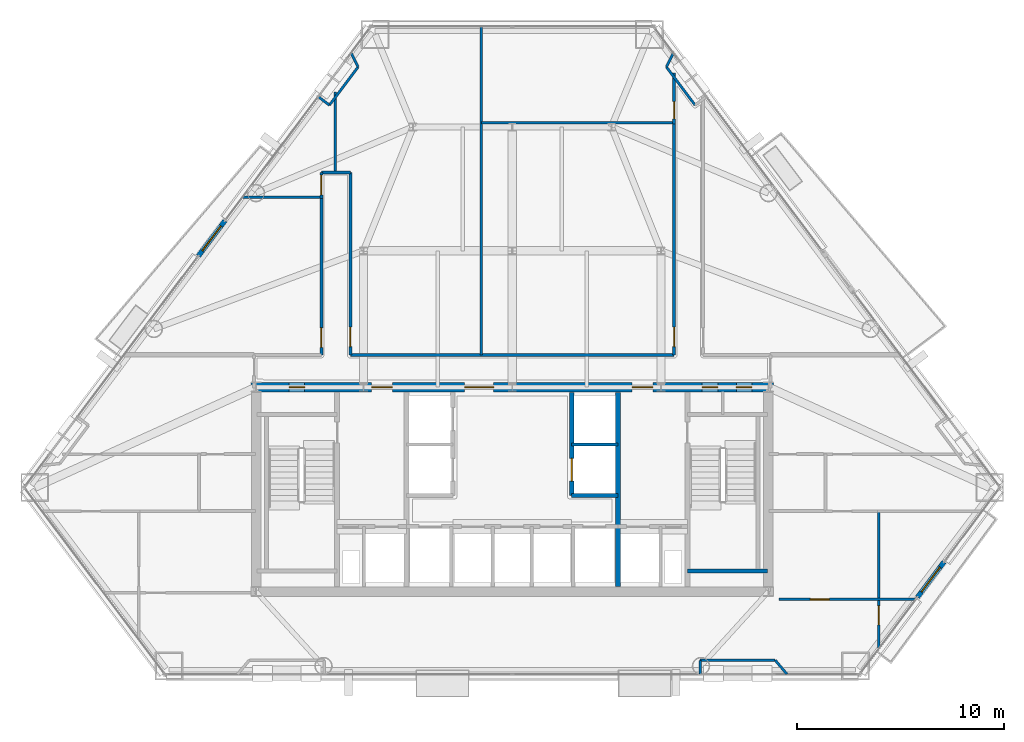
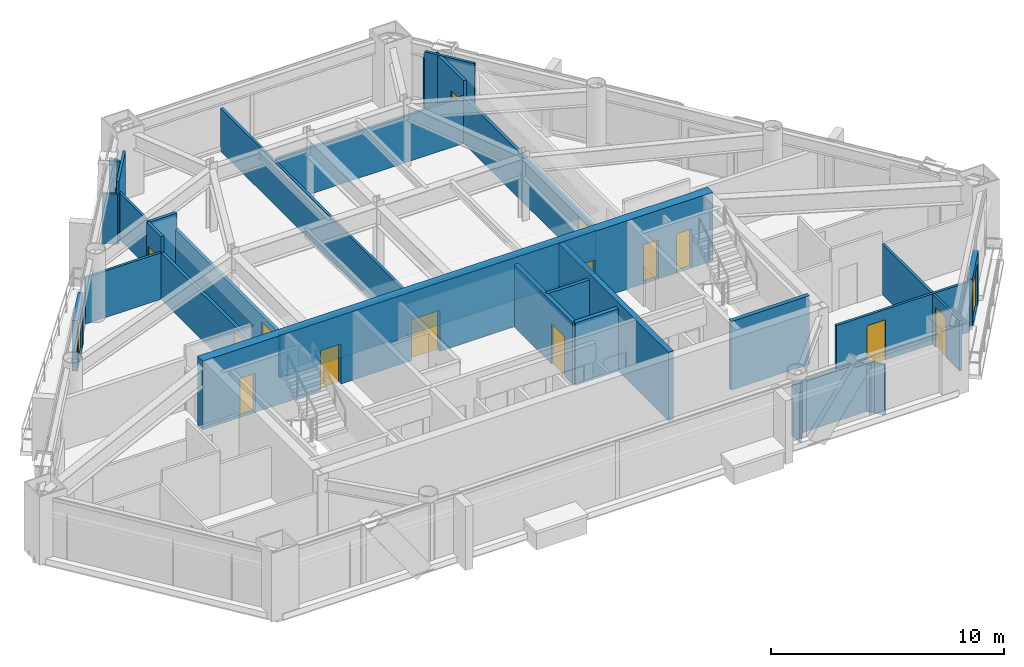
# One storey, part 7 of 10: 29 walls, 16 doors, 16 openings.
"""IFC4 building model written with IfcOpenShell, lengths in metres."""

import ifcopenshell
import ifcopenshell.guid

model = None  # the IFC model being written
_history = None  # IfcOwnerHistory: only IFC2X3 demands one
_inside = {}  # id of a spatial element -> (the spatial element, [elements in it])
_under = {}  # id of a project, library or spatial element -> (it, [spatial elements below it])
_declared = {}  # id of a project -> (the project, [libraries it declares])
_typed = {}  # id of a type object -> (the type object, [elements of that type])
_made_of = {}  # id of a material, layer set ... -> (it, [elements and type objects made of it])


def new_model(schema):
    """Start an empty IFC model of exactly this schema.

    Asked for "IFC4X3", IfcOpenShell would pick the latest addendum, in which some entities
    have other attributes; the version numbers below select the first issue.
    IFC2X3 requires an IfcOwnerHistory on every rooted entity: one is made here for all.
    """
    global model, _history
    if schema == "IFC4X3":
        model = ifcopenshell.file(schema_version=(4, 3, 0, 0))
    else:
        model = ifcopenshell.file(schema=schema)
    _inside.clear()
    _under.clear()
    _declared.clear()
    _typed.clear()
    _made_of.clear()
    _history = None
    if model.schema == "IFC2X3":
        org = make("IfcOrganization", Name="unknown")
        user = make(
            "IfcPersonAndOrganization",
            ThePerson=make("IfcPerson", FamilyName="unknown"),
            TheOrganization=org,
        )
        app = make(
            "IfcApplication",
            ApplicationDeveloper=org,
            Version="unknown",
            ApplicationFullName="unknown",
            ApplicationIdentifier="unknown",
        )
        _history = make(
            "IfcOwnerHistory",
            OwningUser=user,
            OwningApplication=app,
            ChangeAction="ADDED",
            CreationDate=0,
        )
    return model


def make(cls, **values):
    """One entity of the class cls with the attributes given. An attribute that is None is left unset."""
    return model.create_entity(
        cls, **{name: value for name, value in values.items() if value is not None}
    )


def rooted(cls, **values):
    """An entity with a GlobalId (a new one), such as an element, a storey or a relation."""
    return make(cls, GlobalId=ifcopenshell.guid.new(), OwnerHistory=_history, **values)


def si_unit(unit_type, name, prefix=None):
    """IfcSIUnit, for example si_unit("LENGTHUNIT", "METRE", prefix="MILLI")."""
    return make("IfcSIUnit", UnitType=unit_type, Prefix=prefix, Name=name)


def assignment(units):
    """IfcUnitAssignment: the units of a project."""
    return None if units is None else make("IfcUnitAssignment", Units=units)


def point(xyz):
    """IfcCartesianPoint."""
    return None if xyz is None else make("IfcCartesianPoint", Coordinates=xyz)


def direction(xyz):
    """IfcDirection."""
    return None if xyz is None else make("IfcDirection", DirectionRatios=xyz)


def frame(location, z_axis=None, x_axis=None):
    """IfcAxis2Placement3D, a coordinate frame: its origin and axes. An axis left out is left unset."""
    return make(
        "IfcAxis2Placement3D",
        Location=point(location),
        Axis=direction(z_axis),
        RefDirection=direction(x_axis),
    )


def frame_2d(location, x_axis=None):
    """IfcAxis2Placement2D, a coordinate frame in the plane: its origin and x axis."""
    return make(
        "IfcAxis2Placement2D", Location=point(location), RefDirection=direction(x_axis)
    )


def origin():
    """The frame at (0, 0, 0) with its axes left unset."""
    return frame((0.0, 0.0, 0.0))


def place(relative_to, where):
    """IfcLocalPlacement: puts the frame where relative to a parent placement (None: the world)."""
    return make(
        "IfcLocalPlacement", PlacementRelTo=relative_to, RelativePlacement=where
    )


def context(
    kind, dimensions, precision=None, world=None, true_north=None, identifier=None
):
    """IfcGeometricRepresentationContext, for example the 3D "Model" context."""
    return make(
        "IfcGeometricRepresentationContext",
        ContextIdentifier=identifier,
        ContextType=kind,
        CoordinateSpaceDimension=dimensions,
        Precision=precision,
        WorldCoordinateSystem=world,
        TrueNorth=true_north,
    )


def subcontext(parent, identifier, kind, view, scale=None):
    """IfcGeometricRepresentationSubContext, for example "Body" below "Model"."""
    return make(
        "IfcGeometricRepresentationSubContext",
        ContextIdentifier=identifier,
        ContextType=kind,
        ParentContext=parent,
        TargetScale=scale,
        TargetView=view,
    )


def project(units=None, contexts=None):
    """IfcProject with its units and contexts."""
    return rooted(
        "IfcProject",
        Name="project",
        RepresentationContexts=contexts,
        UnitsInContext=assignment(units),
    )


def spatial(cls, under=None, at=None, **own):
    """A site, building, storey or space (cls), placed at a placement, below another one or the project."""
    s = rooted(cls, ObjectPlacement=at, **own)
    if under is not None:
        _under.setdefault(under.id(), (under, []))[1].append(s)
    return s


def profile(cls, at=None, kind="AREA", **sizes):
    """A parametric profile (cls). Its sizes go by their IFC names, for example OverallWidth=200.0."""
    return make(cls, ProfileType=kind, Position=at, **sizes)


def rectangle(**sizes):
    """IfcRectangleProfileDef."""
    return profile("IfcRectangleProfileDef", **sizes)


def extrude(swept, where, along, depth):
    """IfcExtrudedAreaSolid: the profile swept, set in the frame where, extruded along a direction by depth."""
    return make(
        "IfcExtrudedAreaSolid",
        SweptArea=swept,
        Position=where,
        ExtrudedDirection=direction(along),
        Depth=depth,
    )


def shape(context_of_items, identifier, shape_type, items):
    """IfcShapeRepresentation: the items that make up one representation, for example the "Body"."""
    return make(
        "IfcShapeRepresentation",
        ContextOfItems=context_of_items,
        RepresentationIdentifier=identifier,
        RepresentationType=shape_type,
        Items=items,
    )


def material(Name=None, Category=None):
    """IfcMaterial."""
    return make("IfcMaterial", Name=Name, Category=Category)


def layer(
    of_material, thickness, ventilated=None, Name=None, Category=None, Priority=None
):
    """IfcMaterialLayer: one layer of a wall or slab, of a material (None: an air gap)."""
    return make(
        "IfcMaterialLayer",
        Material=of_material,
        LayerThickness=thickness,
        IsVentilated=ventilated,
        Name=Name,
        Category=Category,
        Priority=Priority,
    )


def layer_set(layers, Name=None):
    """IfcMaterialLayerSet."""
    return make("IfcMaterialLayerSet", MaterialLayers=layers, LayerSetName=Name)


def made_of(thing, what):
    """Note that an element or type object is made of a material, layer set ...; save() writes the relation."""
    if what is not None:
        _made_of.setdefault(what.id(), (what, []))[1].append(thing)
    return thing


def type_object(cls, material=None, **own):
    """A type object (cls), such as IfcWallType, which elements share."""
    return made_of(rooted(cls, **own), material)


def element(
    cls,
    number,
    at=None,
    inside=None,
    cuts=None,
    type_object=None,
    material=None,
    context=None,
    identifier="Body",
    shape_type=None,
    held_by="IfcProductDefinitionShape",
    body=None,
    shapes=None,
    **own,
):
    """One element of the class cls, such as IfcWall. Its Tag is "e" and its number.

    at: its placement. inside: the storey or other place that contains it. cuts: it is an
    opening in that element (IfcRelVoidsElement). A single representation is given by context,
    identifier, shape_type and body (its items); several are given by shapes. held_by: the class
    of the entity that holds the representations. save() writes the other relations.
    """
    e = rooted(cls, Tag="e%d" % number, ObjectPlacement=at, **own)
    if body is not None:
        shapes = [shape(context, identifier, shape_type, body)]
    if shapes is not None:
        e.Representation = make(held_by, Representations=shapes)
    if inside is not None:
        _inside.setdefault(inside.id(), (inside, []))[1].append(e)
    if cuts is not None:
        rooted(
            "IfcRelVoidsElement", RelatingBuildingElement=cuts, RelatedOpeningElement=e
        )
    if type_object is not None:
        _typed.setdefault(type_object.id(), (type_object, []))[1].append(e)
    return made_of(e, material)


def fill(opening, filler):
    """IfcRelFillsElement: the door or window that sits in an opening."""
    return rooted(
        "IfcRelFillsElement",
        RelatingOpeningElement=opening,
        RelatedBuildingElement=filler,
    )


def aggregate(whole, parts):
    """IfcRelAggregates: a whole, such as a stair, and the parts it consists of."""
    return rooted("IfcRelAggregates", RelatingObject=whole, RelatedObjects=parts)


def save(model, path):
    """Write the relations noted so far, then the file.

    IfcRelAggregates (storeys below a building ...), IfcRelContainedInSpatialStructure (elements
    in a storey), IfcRelDefinesByType, IfcRelAssociatesMaterial and IfcRelDeclares: one each for
    every whole, place, type object, material and project.
    """
    for whole, parts in _under.values():
        aggregate(whole, parts)
    for where, things in _inside.values():
        rooted(
            "IfcRelContainedInSpatialStructure",
            RelatedElements=things,
            RelatingStructure=where,
        )
    for kind, things in _typed.values():
        rooted("IfcRelDefinesByType", RelatedObjects=things, RelatingType=kind)
    for what, things in _made_of.values():
        rooted("IfcRelAssociatesMaterial", RelatedObjects=things, RelatingMaterial=what)
    for by, libraries in _declared.values():
        rooted("IfcRelDeclares", RelatingContext=by, RelatedDefinitions=libraries)
    model.write(path)


model = new_model("IFC4")

# Units and contexts
model_context = context("Model", 3, precision=1e-05, world=origin(), true_north=direction((0.0, 1.0)))
body_context = subcontext(model_context, "Body", "Model", "MODEL_VIEW")
ifc_project = project(units=[si_unit("LENGTHUNIT", "METRE"), si_unit("AREAUNIT", "SQUARE_METRE"), si_unit("VOLUMEUNIT", "CUBIC_METRE"), si_unit("PLANEANGLEUNIT", "RADIAN"), si_unit("MASSUNIT", "GRAM", prefix="KILO")], contexts=[model_context])

# Site, building, storey
site_placement = place(None, origin())
site = spatial("IfcSite", under=ifc_project, at=site_placement, CompositionType="ELEMENT")
building_placement = place(site_placement, origin())
building = spatial("IfcBuilding", under=site, at=building_placement, Name="Talgorran Terracotta Tower", CompositionType="ELEMENT")
storey_placement = place(building_placement, frame((0.0, 0.0, 86.39990234375)))
storey = spatial("IfcBuildingStorey", under=building, at=storey_placement, Name="L22", CompositionType="ELEMENT", Elevation=86.39990234375)

# Wall, opening, door
ifc_material_1 = material(Name="Concrete C40/50", Category="concrete")
ifc_layer_1 = layer(ifc_material_1, 0.239990234375, Name="WT_BALCONY_SPAND")
ifc_layer_set_1 = layer_set([ifc_layer_1], Name="Concrete C40/50")
wall_type_1 = type_object("IfcWallType", Name="WT_BALCONY_SPAND", PredefinedType="STANDARD", material=ifc_layer_set_1)
wall_1_placement = place(storey_placement, frame((-13.90966796875, 3.860107421875, -0.014892578125), z_axis=(0.0, 0.0, 1.0), x_axis=(-0.601040017347, -0.799218929673, 0.0)))
wall_1 = element("IfcWall", 1, at=wall_1_placement, inside=storey, type_object=wall_type_1, Name="WL-L22-BALP-BAL-NW", PredefinedType="STANDARD", context=body_context, shape_type="SweptSolid", body=[
    extrude(rectangle(XDim=2.139892578125, YDim=0.239990234375, at=frame_2d((1.06982421875, 0.0))), origin(), (0.0, 0.0, 1.0), 2.658447265625),
])
opening_1_placement = place(wall_1_placement, frame((0.320068359375, 0.0, 0.014892578125)))
opening_1 = element("IfcOpeningElement", 2, at=opening_1_placement, cuts=wall_1, Name="Opening D-BAL-L22-2", PredefinedType="OPENING", context=body_context, shape_type="SweptSolid", body=[
    extrude(rectangle(XDim=1.506, YDim=2.203951171875, at=frame_2d((0.75, 1.10205078125))), frame((0.0, 0.1298828125, 0.0), z_axis=(0.0, -1.0, 0.0), x_axis=(1.0, 0.0, 0.0)), (0.0, 0.0, 1.0), 0.260009765625),
])
ifc_material_2 = material(Name="Thermally Broken Aluminium", Category="aluminium")
door_type_1 = type_object("IfcDoorType", Name="DT_BALC_1500", OperationType="SLIDING_TO_RIGHT", PredefinedType="DOOR", material=ifc_material_2)
door_1_placement = place(opening_1_placement, origin())
door_1 = element("IfcDoor", 3, at=door_1_placement, inside=storey, type_object=door_type_1, Name="DR-L22-BAL-BAL-NW", OperationType="SLIDING_TO_RIGHT", OverallHeight=2.199951171875, OverallWidth=1.5, PredefinedType="DOOR", context=body_context, shape_type="SweptSolid", body=[
    extrude(rectangle(XDim=1.5, YDim=2.199951171875, at=frame_2d((0.75, 1.10009765625))), frame((0.0, 0.02490234375, 0.0), z_axis=(0.0, -1.0, 0.0), x_axis=(1.0, 0.0, 0.0)), (0.0, 0.0, 1.0), 0.050048828125),
])
fill(opening_1, door_1)

wall_2_placement = place(storey_placement, frame((19.618408203125, -14.372314453125, -0.014892578125), z_axis=(0.0, 0.0, 1.0), x_axis=(0.601112886626, 0.799164124277, 0.0)))
wall_2 = element("IfcWall", 4, at=wall_2_placement, inside=storey, type_object=wall_type_1, Name="WL-L22-BALP-BAL-SE", PredefinedType="STANDARD", context=body_context, shape_type="SweptSolid", body=[
    extrude(rectangle(XDim=2.139892578125, YDim=0.239990234375, at=frame_2d((1.06982421875, 0.0))), origin(), (0.0, 0.0, 1.0), 2.658447265625),
])
opening_2_placement = place(wall_2_placement, frame((0.320068359375, 0.0, 0.014892578125)))
opening_2 = element("IfcOpeningElement", 5, at=opening_2_placement, cuts=wall_2, Name="Opening D-BAL-L22-3", PredefinedType="OPENING", context=body_context, shape_type="SweptSolid", body=[
    extrude(rectangle(XDim=1.506, YDim=2.203951171875, at=frame_2d((0.75, 1.10205078125))), frame((0.0, 0.1298828125, 0.0), z_axis=(0.0, -1.0, 0.0), x_axis=(1.0, 0.0, 0.0)), (0.0, 0.0, 1.0), 0.260009765625),
])
door_2_placement = place(opening_2_placement, origin())
door_2 = element("IfcDoor", 6, at=door_2_placement, inside=storey, type_object=door_type_1, Name="DR-L22-BAL-BAL-SE", OperationType="SLIDING_TO_RIGHT", OverallHeight=2.199951171875, OverallWidth=1.5, PredefinedType="DOOR", context=body_context, shape_type="SweptSolid", body=[
    extrude(rectangle(XDim=1.5, YDim=2.199951171875, at=frame_2d((0.75, 1.10009765625))), frame((0.0, 0.02490234375, 0.0), z_axis=(0.0, -1.0, 0.0), x_axis=(1.0, 0.0, 0.0)), (0.0, 0.0, 1.0), 0.050048828125),
])
fill(opening_2, door_2)

# Wall
ifc_material_3 = material(Name="Concrete C50/60", Category="concrete")
ifc_layer_2 = layer(ifc_material_3, 0.199951171875, Name="WT_CORE_200")
ifc_layer_set_2 = layer_set([ifc_layer_2], Name="Concrete C50/60")
wall_type_2 = type_object("IfcWallType", Name="WT_CORE_200", PredefinedType="SOLIDWALL", material=ifc_layer_set_2)
wall_3_placement = place(storey_placement, frame((8.47998046875, -13.10009765625, 0.0), z_axis=(0.0, 0.0, 1.0), x_axis=(1.0, 0.0, 0.0)))
element("IfcWall", 7, at=wall_3_placement, inside=storey, type_object=wall_type_2, Name="WL-L22-CW-ST2-S", PredefinedType="SOLIDWALL", context=body_context, shape_type="SweptSolid", body=[
    extrude(rectangle(XDim=3.8701171875, YDim=0.199951171875, at=frame_2d((1.93505859375, 0.0))), origin(), (0.0, 0.0, 1.0), 3.60009765625),
])

# Wall, opening, door
wall_4_placement = place(storey_placement, frame((2.8798828125, -9.449951171875, 0.0), z_axis=(0.0, 0.0, 1.0), x_axis=(0.0, 1.0, 0.0)))
wall_4 = element("IfcWall", 8, at=wall_4_placement, inside=storey, type_object=wall_type_2, Name="WL-L22-CW-V-E3", PredefinedType="SOLIDWALL", context=body_context, shape_type="SweptSolid", body=[
    extrude(rectangle(XDim=5.0, YDim=0.199951171875, at=frame_2d((2.5, 0.0))), origin(), (0.0, 0.0, 1.0), 3.280029296875),
])
opening_3_placement = place(wall_4_placement, frame((0.699951171875, 0.0, 0.0)))
opening_3 = element("IfcOpeningElement", 9, at=opening_3_placement, cuts=wall_4, Name="Opening LD-PLM1", PredefinedType="OPENING", context=body_context, shape_type="SweptSolid", body=[
    extrude(rectangle(XDim=1.10609765625, YDim=2.10409765625, at=frame_2d((0.550048828125, 1.052001953125))), frame((0.0, 0.10986328125, 0.0), z_axis=(0.0, -1.0, 0.0), x_axis=(1.0, 0.0, 0.0)), (0.0, 0.0, 1.0), 0.219970703125),
])
ifc_material_4 = material(Name="Brushed Stainless Steel Grade 304", Category="steel")
door_type_2 = type_object("IfcDoorType", Name="DT_LIFT_LD1100", OperationType="DOUBLE_DOOR_SLIDING", PredefinedType="DOOR", material=ifc_material_4)
door_3_placement = place(opening_3_placement, origin())
door_3 = element("IfcDoor", 10, at=door_3_placement, inside=storey, type_object=door_type_2, Name="L22 Lift Landing Door LD-PLM1", OperationType="DOUBLE_DOOR_SLIDING", OverallHeight=2.10009765625, OverallWidth=1.10009765625, PredefinedType="DOOR", context=body_context, shape_type="SweptSolid", body=[
    extrude(rectangle(XDim=1.10009765625, YDim=2.10009765625, at=frame_2d((0.550048828125, 1.050048828125))), frame((0.0, 0.02490234375, 0.0), z_axis=(0.0, -1.0, 0.0), x_axis=(1.0, 0.0, 0.0)), (0.0, 0.0, 1.0), 0.050048828125),
])
fill(opening_3, door_3)

# Walls
wall_5_placement = place(storey_placement, frame((2.8798828125, -9.449951171875, 0.0), z_axis=(0.0, 0.0, 1.0), x_axis=(1.0, 0.0, 0.0)))
element("IfcWall", 11, at=wall_5_placement, inside=storey, type_object=wall_type_2, Name="WL-L22-CW-H-E4", PredefinedType="SOLIDWALL", context=body_context, shape_type="SweptSolid", body=[
    extrude(rectangle(XDim=2.240234375, YDim=0.199951171875, at=frame_2d((1.1201171875, 0.0))), origin(), (0.0, 0.0, 1.0), 3.280029296875),
])
ifc_layer_3 = layer(ifc_material_3, 0.25, Name="WT_CORE_250")
ifc_layer_set_3 = layer_set([ifc_layer_3], Name="Concrete C50/60")
wall_type_3 = type_object("IfcWallType", Name="WT_CORE_250", PredefinedType="SHEAR", material=ifc_layer_set_3)
wall_6_placement = place(storey_placement, frame((5.1201171875, -13.85009765625, 0.0), z_axis=(0.0, 0.0, 1.0), x_axis=(0.0, 1.0, 0.0)))
element("IfcWall", 12, at=wall_6_placement, inside=storey, type_object=wall_type_3, Name="WL-L22-CW-V-E2", PredefinedType="SHEAR", context=body_context, shape_type="SweptSolid", body=[
    extrude(rectangle(XDim=9.400146484375, YDim=0.25, at=frame_2d((4.7001953125, 0.0))), origin(), (0.0, 0.0, 1.0), 3.60009765625),
])

# Wall, openings, doors
ifc_material_5 = material(Name="Concrete C65/80", Category="concrete")
ifc_layer_4 = layer(ifc_material_5, 0.449951171875, Name="WT_CORE_EXT")
ifc_layer_set_4 = layer_set([ifc_layer_4], Name="Concrete C65/80")
wall_type_4 = type_object("IfcWallType", Name="WT_CORE_EXT", PredefinedType="SHEAR", material=ifc_layer_set_4)
wall_7_placement = place(storey_placement, frame((-12.64990234375, -4.199951171875, 0.0), z_axis=(0.0, 0.0, 1.0), x_axis=(1.0, 0.0, 0.0)))
wall_7 = element("IfcWall", 13, at=wall_7_placement, inside=storey, type_object=wall_type_4, Name="WL-L22-CW-OUT-N", PredefinedType="SHEAR", context=body_context, shape_type="SweptSolid", body=[
    extrude(rectangle(XDim=25.2998046875, YDim=0.449951171875, at=frame_2d((12.64990234375, 0.0))), origin(), (0.0, 0.0, 1.0), 3.60009765625),
])
opening_4_placement = place(wall_7_placement, frame((1.85009765625, 0.0, 0.0)))
opening_4 = element("IfcOpeningElement", 14, at=opening_4_placement, cuts=wall_7, Name="Opening DR-CSN1", PredefinedType="OPENING", context=body_context, shape_type="SweptSolid", body=[
    extrude(rectangle(XDim=0.756, YDim=2.054048828125, at=frame_2d((0.375, 1.027099609375))), frame((0.0, 0.23486328125, 0.0), z_axis=(0.0, -1.0, 0.0), x_axis=(1.0, 0.0, 0.0)), (0.0, 0.0, 1.0), 0.469970703125),
])
opening_5_placement = place(wall_7_placement, frame((21.85009765625, 0.0, 0.0)))
opening_5 = element("IfcOpeningElement", 15, at=opening_5_placement, cuts=wall_7, Name="Opening DR-CSN2", PredefinedType="OPENING", context=body_context, shape_type="SweptSolid", body=[
    extrude(rectangle(XDim=0.756, YDim=2.054048828125, at=frame_2d((0.375, 1.027099609375))), frame((0.0, 0.23486328125, 0.0), z_axis=(0.0, -1.0, 0.0), x_axis=(1.0, 0.0, 0.0)), (0.0, 0.0, 1.0), 0.469970703125),
])
opening_6_placement = place(wall_7_placement, frame((23.5, 0.0, 0.0)))
opening_6 = element("IfcOpeningElement", 16, at=opening_6_placement, cuts=wall_7, Name="Opening DR-CSN3", PredefinedType="OPENING", context=body_context, shape_type="SweptSolid", body=[
    extrude(rectangle(XDim=0.756, YDim=2.054048828125, at=frame_2d((0.375, 1.027099609375))), frame((0.0, 0.23486328125, 0.0), z_axis=(0.0, -1.0, 0.0), x_axis=(1.0, 0.0, 0.0)), (0.0, 0.0, 1.0), 0.469970703125),
])
opening_7_placement = place(wall_7_placement, frame((5.85009765625, 0.0, 0.0)))
opening_7 = element("IfcOpeningElement", 17, at=opening_7_placement, cuts=wall_7, Name="Opening DR-FFLW-N", PredefinedType="OPENING", context=body_context, shape_type="SweptSolid", body=[
    extrude(rectangle(XDim=1.006, YDim=2.10409765625, at=frame_2d((0.5, 1.052001953125))), frame((0.0, 0.23486328125, 0.0), z_axis=(0.0, -1.0, 0.0), x_axis=(1.0, 0.0, 0.0)), (0.0, 0.0, 1.0), 0.469970703125),
])
opening_8_placement = place(wall_7_placement, frame((10.35009765625, 0.0, 0.0)))
opening_8 = element("IfcOpeningElement", 18, at=opening_8_placement, cuts=wall_7, Name="Opening DR-PLL-N", PredefinedType="OPENING", context=body_context, shape_type="SweptSolid", body=[
    extrude(rectangle(XDim=1.40590234375, YDim=2.15390234375, at=frame_2d((0.699951171875, 1.076904296875))), frame((0.0, 0.23486328125, 0.0), z_axis=(0.0, -1.0, 0.0), x_axis=(1.0, 0.0, 0.0)), (0.0, 0.0, 1.0), 0.469970703125),
])
opening_9_placement = place(wall_7_placement, frame((18.449951171875, 0.0, 0.0)))
opening_9 = element("IfcOpeningElement", 19, at=opening_9_placement, cuts=wall_7, Name="Opening DR-FFLE-N", PredefinedType="OPENING", context=body_context, shape_type="SweptSolid", body=[
    extrude(rectangle(XDim=1.006, YDim=2.10409765625, at=frame_2d((0.5, 1.052001953125))), frame((0.0, 0.23486328125, 0.0), z_axis=(0.0, -1.0, 0.0), x_axis=(1.0, 0.0, 0.0)), (0.0, 0.0, 1.0), 0.469970703125),
])
ifc_material_6 = material(Name="Acoustic Glazed Timber", Category="wood")
door_type_3 = type_object("IfcDoorType", Name="DT_DOUBLE_1400", OperationType="DOUBLE_DOOR_SINGLE_SWING", PredefinedType="DOOR", material=ifc_material_6)
door_4_placement = place(opening_8_placement, origin())
door_4 = element("IfcDoor", 20, at=door_4_placement, inside=storey, type_object=door_type_3, Name="DR-PLL-N", OperationType="DOUBLE_DOOR_SINGLE_SWING", OverallHeight=2.14990234375, OverallWidth=1.39990234375, PredefinedType="DOOR", context=body_context, shape_type="SweptSolid", body=[
    extrude(rectangle(XDim=1.39990234375, YDim=2.14990234375, at=frame_2d((0.699951171875, 1.074951171875))), frame((0.0, 0.02490234375, 0.0), z_axis=(0.0, -1.0, 0.0), x_axis=(1.0, 0.0, 0.0)), (0.0, 0.0, 1.0), 0.050048828125),
])
fill(opening_8, door_4)
ifc_material_7 = material(Name="Fire-Rated Pressed Steel", Category="steel")
door_type_4 = type_object("IfcDoorType", Name="DT_FIRE_1000", OperationType="NOTDEFINED", PredefinedType="DOOR", material=ifc_material_7)
door_5_placement = place(opening_7_placement, origin())
door_5 = element("IfcDoor", 21, at=door_5_placement, inside=storey, type_object=door_type_4, Name="DR-FFLW-N", OperationType="SINGLE_SWING_LEFT", OverallHeight=2.10009765625, OverallWidth=1.0, PredefinedType="DOOR", context=body_context, shape_type="SweptSolid", body=[
    extrude(rectangle(XDim=1.0, YDim=2.10009765625, at=frame_2d((0.5, 1.050048828125))), frame((0.0, 0.02490234375, 0.0), z_axis=(0.0, -1.0, 0.0), x_axis=(1.0, 0.0, 0.0)), (0.0, 0.0, 1.0), 0.050048828125),
])
fill(opening_7, door_5)
door_6_placement = place(opening_9_placement, origin())
door_6 = element("IfcDoor", 22, at=door_6_placement, inside=storey, type_object=door_type_4, Name="DR-FFLE-N", OperationType="SINGLE_SWING_RIGHT", OverallHeight=2.10009765625, OverallWidth=1.0, PredefinedType="DOOR", context=body_context, shape_type="SweptSolid", body=[
    extrude(rectangle(XDim=1.0, YDim=2.10009765625, at=frame_2d((0.5, 1.050048828125))), frame((0.0, 0.02490234375, 0.0), z_axis=(0.0, -1.0, 0.0), x_axis=(1.0, 0.0, 0.0)), (0.0, 0.0, 1.0), 0.050048828125),
])
fill(opening_9, door_6)
door_type_5 = type_object("IfcDoorType", Name="DT_RISER_750", OperationType="NOTDEFINED", PredefinedType="DOOR", material=ifc_material_7)
door_7_placement = place(opening_4_placement, origin())
door_7 = element("IfcDoor", 23, at=door_7_placement, inside=storey, type_object=door_type_5, Name="DR-CSN1", OperationType="SINGLE_SWING_LEFT", OverallHeight=2.050048828125, OverallWidth=0.75, PredefinedType="DOOR", context=body_context, shape_type="SweptSolid", body=[
    extrude(rectangle(XDim=0.75, YDim=2.050048828125, at=frame_2d((0.375, 1.02490234375))), frame((0.0, 0.02490234375, 0.0), z_axis=(0.0, -1.0, 0.0), x_axis=(1.0, 0.0, 0.0)), (0.0, 0.0, 1.0), 0.050048828125),
])
fill(opening_4, door_7)
door_8_placement = place(opening_5_placement, origin())
door_8 = element("IfcDoor", 24, at=door_8_placement, inside=storey, type_object=door_type_5, Name="DR-CSN2", OperationType="SINGLE_SWING_LEFT", OverallHeight=2.050048828125, OverallWidth=0.75, PredefinedType="DOOR", context=body_context, shape_type="SweptSolid", body=[
    extrude(rectangle(XDim=0.75, YDim=2.050048828125, at=frame_2d((0.375, 1.02490234375))), frame((0.0, 0.02490234375, 0.0), z_axis=(0.0, -1.0, 0.0), x_axis=(1.0, 0.0, 0.0)), (0.0, 0.0, 1.0), 0.050048828125),
])
fill(opening_5, door_8)
door_9_placement = place(opening_6_placement, origin())
door_9 = element("IfcDoor", 25, at=door_9_placement, inside=storey, type_object=door_type_5, Name="DR-CSN3", OperationType="SINGLE_SWING_RIGHT", OverallHeight=2.050048828125, OverallWidth=0.75, PredefinedType="DOOR", context=body_context, shape_type="SweptSolid", body=[
    extrude(rectangle(XDim=0.75, YDim=2.050048828125, at=frame_2d((0.375, 1.02490234375))), frame((0.0, 0.02490234375, 0.0), z_axis=(0.0, -1.0, 0.0), x_axis=(1.0, 0.0, 0.0)), (0.0, 0.0, 1.0), 0.050048828125),
])
fill(opening_6, door_9)

# Wall, opening, door
ifc_material_8 = material(Name="Fire-Rated Steel Stud Plasterboard", Category="steel")
ifc_layer_5 = layer(ifc_material_8, 0.14990234375, Name="WT_FIRE_150")
ifc_layer_set_5 = layer_set([ifc_layer_5], Name="Fire-Rated Steel Stud Plasterboard")
wall_type_5 = type_object("IfcWallType", Name="WT_FIRE_150", PredefinedType="PARTITIONING", material=ifc_layer_set_5)
wall_8_placement = place(storey_placement, frame((7.840087890625, -2.639892578125, 0.0), z_axis=(0.0, 0.0, 1.0), x_axis=(0.0, 1.0, 0.0)))
wall_8 = element("IfcWall", 26, at=wall_8_placement, inside=storey, type_object=wall_type_5, Name="WL-L22-W-L22-R11", PredefinedType="PARTITIONING", context=body_context, shape_type="SweptSolid", body=[
    extrude(rectangle(XDim=11.2998046875, YDim=0.14990234375, at=frame_2d((5.64990234375, 0.0))), origin(), (0.0, 0.0, 1.0), 2.439208984375),
])
opening_10_placement = place(wall_8_placement, frame((0.399658203125, 0.0, 0.0)))
opening_10 = element("IfcOpeningElement", 27, at=opening_10_placement, cuts=wall_8, Name="Opening DR-L22-R14", PredefinedType="OPENING", context=body_context, shape_type="SweptSolid", body=[
    extrude(rectangle(XDim=0.955951171875, YDim=2.10409765625, at=frame_2d((0.47509765625, 1.052001953125))), frame((0.0, 0.0849609375, 0.0), z_axis=(0.0, -1.0, 0.0), x_axis=(1.0, 0.0, 0.0)), (0.0, 0.0, 1.0), 0.169921875),
])
ifc_material_9 = material(Name="Fire-Rated Timber Core", Category="wood")
door_type_6 = type_object("IfcDoorType", Name="DT_FIRE_950", OperationType="NOTDEFINED", PredefinedType="DOOR", material=ifc_material_9)
door_10_placement = place(opening_10_placement, origin())
door_10 = element("IfcDoor", 28, at=door_10_placement, inside=storey, type_object=door_type_6, Name="DR-L22-R14", OperationType="SINGLE_SWING_RIGHT", OverallHeight=2.10009765625, OverallWidth=0.949951171875, PredefinedType="DOOR", context=body_context, shape_type="SweptSolid", body=[
    extrude(rectangle(XDim=0.949951171875, YDim=2.10009765625, at=frame_2d((0.47509765625, 1.050048828125))), frame((0.0, 0.02490234375, 0.0), z_axis=(0.0, -1.0, 0.0), x_axis=(1.0, 0.0, 0.0)), (0.0, 0.0, 1.0), 0.050048828125),
])
fill(opening_10, door_10)

# Wall
wall_9_placement = place(storey_placement, frame((-7.840087890625, -2.639892578125, 0.0), z_axis=(0.0, 0.0, 1.0), x_axis=(1.0, 0.0, 0.0)))
element("IfcWall", 29, at=wall_9_placement, inside=storey, type_object=wall_type_5, Name="WL-L22-W-L22-R10", PredefinedType="PARTITIONING", context=body_context, shape_type="SweptSolid", body=[
    extrude(rectangle(XDim=15.68017578125, YDim=0.14990234375, at=frame_2d((7.840087890625, 0.0))), origin(), (0.0, 0.0, 1.0), 2.255126953125),
])

# Wall, opening, door
wall_10_placement = place(storey_placement, frame((-7.840087890625, -2.639892578125, 0.0), z_axis=(0.0, 0.0, 1.0), x_axis=(0.0, 1.0, 0.0)))
wall_10 = element("IfcWall", 30, at=wall_10_placement, inside=storey, type_object=wall_type_5, Name="WL-L22-W-L22-R08", PredefinedType="PARTITIONING", context=body_context, shape_type="SweptSolid", body=[
    extrude(rectangle(XDim=8.83984375, YDim=0.14990234375, at=frame_2d((4.419921875, 0.0))), origin(), (0.0, 0.0, 1.0), 2.439208984375),
])
opening_11_placement = place(wall_10_placement, frame((0.39892578125, 0.0, 0.0)))
opening_11 = element("IfcOpeningElement", 31, at=opening_11_placement, cuts=wall_10, Name="Opening DR-L22-R13", PredefinedType="OPENING", context=body_context, shape_type="SweptSolid", body=[
    extrude(rectangle(XDim=0.955951171875, YDim=2.10409765625, at=frame_2d((0.47509765625, 1.052001953125))), frame((0.0, 0.0849609375, 0.0), z_axis=(0.0, -1.0, 0.0), x_axis=(1.0, 0.0, 0.0)), (0.0, 0.0, 1.0), 0.169921875),
])
door_11_placement = place(opening_11_placement, origin())
door_11 = element("IfcDoor", 32, at=door_11_placement, inside=storey, type_object=door_type_6, Name="DR-L22-R13", OperationType="SINGLE_SWING_LEFT", OverallHeight=2.10009765625, OverallWidth=0.949951171875, PredefinedType="DOOR", context=body_context, shape_type="SweptSolid", body=[
    extrude(rectangle(XDim=0.949951171875, YDim=2.10009765625, at=frame_2d((0.47509765625, 1.050048828125))), frame((0.0, 0.02490234375, 0.0), z_axis=(0.0, -1.0, 0.0), x_axis=(1.0, 0.0, 0.0)), (0.0, 0.0, 1.0), 0.050048828125),
])
fill(opening_11, door_11)

wall_11_placement = place(storey_placement, frame((-9.239990234375, -2.639892578125, 0.0), z_axis=(0.0, 0.0, 1.0), x_axis=(0.0, 1.0, 0.0)))
wall_11 = element("IfcWall", 33, at=wall_11_placement, inside=storey, type_object=wall_type_5, Name="WL-L22-W-L22-R04", PredefinedType="PARTITIONING", context=body_context, shape_type="SweptSolid", body=[
    extrude(rectangle(XDim=7.699951171875, YDim=0.14990234375, at=frame_2d((3.85009765625, 0.0))), origin(), (0.0, 0.0, 1.0), 2.439208984375),
])
opening_12_placement = place(wall_11_placement, frame((0.359619140625, 0.0, 0.0)))
opening_12 = element("IfcOpeningElement", 34, at=opening_12_placement, cuts=wall_11, Name="Opening DR-L22-R11", PredefinedType="OPENING", context=body_context, shape_type="SweptSolid", body=[
    extrude(rectangle(XDim=0.955951171875, YDim=2.10409765625, at=frame_2d((0.47509765625, 1.052001953125))), frame((0.0, 0.0849609375, 0.0), z_axis=(0.0, -1.0, 0.0), x_axis=(1.0, 0.0, 0.0)), (0.0, 0.0, 1.0), 0.169921875),
])
door_12_placement = place(opening_12_placement, origin())
door_12 = element("IfcDoor", 35, at=door_12_placement, inside=storey, type_object=door_type_6, Name="DR-L22-R11", OperationType="SINGLE_SWING_LEFT", OverallHeight=2.10009765625, OverallWidth=0.949951171875, PredefinedType="DOOR", context=body_context, shape_type="SweptSolid", body=[
    extrude(rectangle(XDim=0.949951171875, YDim=2.10009765625, at=frame_2d((0.47509765625, 1.050048828125))), frame((0.0, 0.02490234375, 0.0), z_axis=(0.0, -1.0, 0.0), x_axis=(1.0, 0.0, 0.0)), (0.0, 0.0, 1.0), 0.050048828125),
])
fill(opening_12, door_12)

wall_12_placement = place(storey_placement, frame((7.840087890625, 8.5400390625, 0.0), z_axis=(0.0, 0.0, 1.0), x_axis=(0.0, 1.0, 0.0)))
wall_12 = element("IfcWall", 36, at=wall_12_placement, inside=storey, type_object=wall_type_5, Name="WL-L22-W-L22-R14", PredefinedType="PARTITIONING", context=body_context, shape_type="SweptSolid", body=[
    extrude(rectangle(XDim=2.4599609375, YDim=0.14990234375, at=frame_2d((1.22998046875, 0.0))), origin(), (0.0, 0.0, 1.0), 3.280029296875),
])
opening_13_placement = place(wall_12_placement, frame((0.25634765625, 0.0, 0.0)))
opening_13 = element("IfcOpeningElement", 37, at=opening_13_placement, cuts=wall_12, Name="Opening DR-L22-R16", PredefinedType="OPENING", context=body_context, shape_type="SweptSolid", body=[
    extrude(rectangle(XDim=0.826068359375, YDim=2.10409765625, at=frame_2d((0.41015625, 1.052001953125))), frame((0.0, 0.0849609375, 0.0), z_axis=(0.0, -1.0, 0.0), x_axis=(1.0, 0.0, 0.0)), (0.0, 0.0, 1.0), 0.169921875),
])
ifc_material_10 = material(Name="Moisture-Resistant Solid Timber", Category="wood")
door_type_7 = type_object("IfcDoorType", Name="DT_INT_820", OperationType="NOTDEFINED", PredefinedType="DOOR", material=ifc_material_10)
door_13_placement = place(opening_13_placement, origin())
door_13 = element("IfcDoor", 38, at=door_13_placement, inside=storey, type_object=door_type_7, Name="DR-L22-R16", OperationType="SINGLE_SWING_RIGHT", OverallHeight=2.10009765625, OverallWidth=0.820068359375, PredefinedType="DOOR", context=body_context, shape_type="SweptSolid", body=[
    extrude(rectangle(XDim=0.820068359375, YDim=2.10009765625, at=frame_2d((0.41015625, 1.050048828125))), frame((0.0, 0.02490234375, 0.0), z_axis=(0.0, -1.0, 0.0), x_axis=(1.0, 0.0, 0.0)), (0.0, 0.0, 1.0), 0.050048828125),
])
fill(opening_13, door_13)

wall_13_placement = place(storey_placement, frame((-9.239990234375, 4.93994140625, 0.0), z_axis=(0.0, 0.0, 1.0), x_axis=(0.0, 1.0, 0.0)))
wall_13 = element("IfcWall", 39, at=wall_13_placement, inside=storey, type_object=wall_type_5, Name="WL-L22-W-L22-R05", PredefinedType="PARTITIONING", context=body_context, shape_type="SweptSolid", body=[
    extrude(rectangle(XDim=1.260009765625, YDim=0.14990234375, at=frame_2d((0.6298828125, 0.0))), origin(), (0.0, 0.0, 1.0), 3.280029296875),
])
opening_14_placement = place(wall_13_placement, frame((0.172607421875, 0.0, 0.0)))
opening_14 = element("IfcOpeningElement", 40, at=opening_14_placement, cuts=wall_13, Name="Opening DR-L22-R12", PredefinedType="OPENING", context=body_context, shape_type="SweptSolid", body=[
    extrude(rectangle(XDim=0.955951171875, YDim=2.10409765625, at=frame_2d((0.47509765625, 1.052001953125))), frame((0.0, 0.0849609375, 0.0), z_axis=(0.0, -1.0, 0.0), x_axis=(1.0, 0.0, 0.0)), (0.0, 0.0, 1.0), 0.169921875),
])
door_14_placement = place(opening_14_placement, origin())
door_14 = element("IfcDoor", 41, at=door_14_placement, inside=storey, type_object=door_type_6, Name="DR-L22-R12", OperationType="SINGLE_SWING_RIGHT", OverallHeight=2.10009765625, OverallWidth=0.949951171875, PredefinedType="DOOR", context=body_context, shape_type="SweptSolid", body=[
    extrude(rectangle(XDim=0.949951171875, YDim=2.10009765625, at=frame_2d((0.47509765625, 1.050048828125))), frame((0.0, 0.02490234375, 0.0), z_axis=(0.0, -1.0, 0.0), x_axis=(1.0, 0.0, 0.0)), (0.0, 0.0, 1.0), 0.050048828125),
])
fill(opening_14, door_14)

# Walls
wall_14_placement = place(storey_placement, frame((-9.239990234375, 6.199951171875, 0.0), z_axis=(0.0, 0.0, 1.0), x_axis=(1.0, 0.0, 0.0)))
element("IfcWall", 42, at=wall_14_placement, inside=storey, type_object=wall_type_5, Name="WL-L22-W-L22-R07", PredefinedType="PARTITIONING", context=body_context, shape_type="SweptSolid", body=[
    extrude(rectangle(XDim=1.39990234375, YDim=0.14990234375, at=frame_2d((0.699951171875, 0.0))), origin(), (0.0, 0.0, 1.0), 3.280029296875),
])
ifc_material_11 = material(Name="Insulated Steel Stud Plasterboard", Category="steel")
ifc_layer_6 = layer(ifc_material_11, 0.1201171875, Name="WT_PART_120")
ifc_layer_set_6 = layer_set([ifc_layer_6], Name="Insulated Steel Stud Plasterboard")
wall_type_6 = type_object("IfcWallType", Name="WT_PART_120", PredefinedType="PARTITIONING", material=ifc_layer_set_6)
wall_15_placement = place(storey_placement, frame((-1.5, -2.639892578125, 0.0), z_axis=(0.0, 0.0, 1.0), x_axis=(0.0, 1.0, 0.0)))
element("IfcWall", 43, at=wall_15_placement, inside=storey, type_object=wall_type_6, Name="WL-L22-W-L22-R36", PredefinedType="PARTITIONING", context=body_context, shape_type="SweptSolid", body=[
    extrude(rectangle(XDim=15.905029296875, YDim=0.1201171875, at=frame_2d((7.95263671875, 0.0))), origin(), (0.0, 0.0, 1.0), 2.255126953125),
])
wall_16_placement = place(storey_placement, frame((-1.5, 8.60009765625, 0.0), z_axis=(0.0, 0.0, 1.0), x_axis=(1.0, 0.0, 0.0)))
element("IfcWall", 44, at=wall_16_placement, inside=storey, type_object=wall_type_6, Name="WL-L22-W-L22-R38", PredefinedType="PARTITIONING", context=body_context, shape_type="SweptSolid", body=[
    extrude(rectangle(XDim=9.340087890625, YDim=0.1201171875, at=frame_2d((4.669921875, 0.0))), origin(), (0.0, 0.0, 1.0), 2.439208984375),
])

# Wall, opening, door
wall_17_placement = place(storey_placement, frame((17.739990234375, -16.8701171875, 0.0), z_axis=(0.0, 0.0, 1.0), x_axis=(0.0, 1.0, 0.0)))
wall_17 = element("IfcWall", 45, at=wall_17_placement, inside=storey, type_object=wall_type_6, Name="WL-L22-W-L22-R33", PredefinedType="PARTITIONING", context=body_context, shape_type="SweptSolid", body=[
    extrude(rectangle(XDim=6.670166015625, YDim=0.1201171875, at=frame_2d((3.3349609375, 0.0))), origin(), (0.0, 0.0, 1.0), 2.6435546875),
])
opening_15_placement = place(wall_17_placement, frame((1.15478515625, 0.0, 0.0)))
opening_15 = element("IfcOpeningElement", 46, at=opening_15_placement, cuts=wall_17, Name="Opening DR-L22-R09", PredefinedType="OPENING", context=body_context, shape_type="SweptSolid", body=[
    extrude(rectangle(XDim=0.925921875, YDim=2.10409765625, at=frame_2d((0.4599609375, 1.052001953125))), frame((0.0, 0.070068359375, 0.0), z_axis=(0.0, -1.0, 0.0), x_axis=(1.0, 0.0, 0.0)), (0.0, 0.0, 1.0), 0.14013671875),
])
ifc_material_12 = material(Name="Solid-Core Painted Timber", Category="wood")
door_type_8 = type_object("IfcDoorType", Name="DT_INT_920", OperationType="NOTDEFINED", PredefinedType="DOOR", material=ifc_material_12)
door_15_placement = place(opening_15_placement, origin())
door_15 = element("IfcDoor", 47, at=door_15_placement, inside=storey, type_object=door_type_8, Name="DR-L22-R09", OperationType="SINGLE_SWING_LEFT", OverallHeight=2.10009765625, OverallWidth=0.919921875, PredefinedType="DOOR", context=body_context, shape_type="SweptSolid", body=[
    extrude(rectangle(XDim=0.919921875, YDim=2.10009765625, at=frame_2d((0.4599609375, 1.050048828125))), frame((0.0, 0.02490234375, 0.0), z_axis=(0.0, -1.0, 0.0), x_axis=(1.0, 0.0, 0.0)), (0.0, 0.0, 1.0), 0.050048828125),
])
fill(opening_15, door_15)

wall_18_placement = place(storey_placement, frame((12.919921875, -14.47998046875, 0.0), z_axis=(0.0, 0.0, 1.0), x_axis=(1.0, 0.0, 0.0)))
wall_18 = element("IfcWall", 48, at=wall_18_placement, inside=storey, type_object=wall_type_6, Name="WL-L22-W-L22-R31", PredefinedType="PARTITIONING", context=body_context, shape_type="SweptSolid", body=[
    extrude(rectangle(XDim=6.61767578125, YDim=0.1201171875, at=frame_2d((3.308837890625, 0.0))), origin(), (0.0, 0.0, 1.0), 2.6435546875),
])
opening_16_placement = place(wall_18_placement, frame((1.512451171875, 0.0, 0.0)))
opening_16 = element("IfcOpeningElement", 49, at=opening_16_placement, cuts=wall_18, Name="Opening DR-L22-R10", PredefinedType="OPENING", context=body_context, shape_type="SweptSolid", body=[
    extrude(rectangle(XDim=0.925921875, YDim=2.10409765625, at=frame_2d((0.4599609375, 1.052001953125))), frame((0.0, 0.070068359375, 0.0), z_axis=(0.0, -1.0, 0.0), x_axis=(1.0, 0.0, 0.0)), (0.0, 0.0, 1.0), 0.14013671875),
])
door_16_placement = place(opening_16_placement, origin())
door_16 = element("IfcDoor", 50, at=door_16_placement, inside=storey, type_object=door_type_8, Name="DR-L22-R10", OperationType="SINGLE_SWING_RIGHT", OverallHeight=2.10009765625, OverallWidth=0.919921875, PredefinedType="DOOR", context=body_context, shape_type="SweptSolid", body=[
    extrude(rectangle(XDim=0.919921875, YDim=2.10009765625, at=frame_2d((0.4599609375, 1.050048828125))), frame((0.0, 0.02490234375, 0.0), z_axis=(0.0, -1.0, 0.0), x_axis=(1.0, 0.0, 0.0)), (0.0, 0.0, 1.0), 0.050048828125),
])
fill(opening_16, door_16)

# Walls
wall_19_placement = place(storey_placement, frame((-8.56005859375, 6.199951171875, 0.0), z_axis=(0.0, 0.0, 1.0), x_axis=(0.0, 1.0, 0.0)))
element("IfcWall", 51, at=wall_19_placement, inside=storey, type_object=wall_type_6, Name="WL-L22-W-L22-R35", PredefinedType="PARTITIONING", context=body_context, shape_type="SweptSolid", body=[
    extrude(rectangle(XDim=3.880126953125, YDim=0.1201171875, at=frame_2d((1.93994140625, 0.0))), origin(), (0.0, 0.0, 1.0), 2.439208984375),
])
wall_20_placement = place(storey_placement, frame((-13.052490234375, 5.0, 0.0), z_axis=(0.0, 0.0, 1.0), x_axis=(1.0, 0.0, 0.0)))
element("IfcWall", 52, at=wall_20_placement, inside=storey, type_object=wall_type_6, Name="WL-L22-W-L22-R34", PredefinedType="PARTITIONING", context=body_context, shape_type="SweptSolid", body=[
    extrude(rectangle(XDim=3.8125, YDim=0.1201171875, at=frame_2d((1.90625, 0.0))), origin(), (0.0, 0.0, 1.0), 2.439208984375),
])
wall_21_placement = place(storey_placement, frame((9.10009765625, -17.422119140625, 0.0), z_axis=(0.0, 0.0, 1.0), x_axis=(1.0, 0.0, 0.0)))
element("IfcWall", 53, at=wall_21_placement, inside=storey, type_object=wall_type_6, Name="WL-L22-BW-L22-06", PredefinedType="PARTITIONING", context=body_context, shape_type="SweptSolid", body=[
    extrude(rectangle(XDim=3.631103515625, YDim=0.1201171875, at=frame_2d((1.8154296875, 0.0))), origin(), (0.0, 0.0, 1.0), 2.6435546875),
])
for number, where, z_axis, x_axis, name in (
    (54, (-7.4619140625, 11.302490234375, 0.0), (0.0, 0.0, 1.0), (-0.600996618, -0.799251565624, 0.0), "WL-L22-BW-L22-15"),
    (55, (8.85107421875, 9.455078125, 0.0), (0.0, 0.0, 1.0), (-0.600996618, 0.799251565624, 0.0), "WL-L22-BW-L22-18"),
):
    element("IfcWall", number, at=place(storey_placement, frame(where, z_axis=z_axis, x_axis=x_axis)), inside=storey, type_object=wall_type_6, Name=name, PredefinedType="PARTITIONING", context=body_context, shape_type="SweptSolid", body=[
        extrude(rectangle(XDim=2.3115234375, YDim=0.1201171875, at=frame_2d((1.15576171875, 0.0))), origin(), (0.0, 0.0, 1.0), 3.280029296875),
    ])
wall_22_placement = place(storey_placement, frame((12.731201171875, -17.422119140625, 0.0), z_axis=(0.0, 0.0, 1.0), x_axis=(0.644692996289, -0.764441587393, 0.0)))
element("IfcWall", 56, at=wall_22_placement, inside=storey, type_object=wall_type_6, Name="WL-L22-BW-L22-04", PredefinedType="PARTITIONING", context=body_context, shape_type="SweptSolid", body=[
    extrude(rectangle(XDim=0.876708984375, YDim=0.1201171875, at=frame_2d((0.4384765625, 0.0))), origin(), (0.0, 0.0, 1.0), 2.6435546875),
])
for number, where, z_axis, x_axis, name in (
    (57, (-7.800537109375, 11.967041015625, 0.0), (0.0, 0.0, 1.0), (0.454009138932, -0.8909970268, 0.0), "WL-L22-BW-L22-14"),
    (58, (7.4619140625, 11.302490234375, 0.0), (0.0, 0.0, 1.0), (0.454009138932, 0.8909970268, 0.0), "WL-L22-BW-L22-19"),
):
    element("IfcWall", number, at=place(storey_placement, frame(where, z_axis=z_axis, x_axis=x_axis)), inside=storey, type_object=wall_type_6, Name=name, PredefinedType="PARTITIONING", context=body_context, shape_type="SweptSolid", body=[
        extrude(rectangle(XDim=0.745849609375, YDim=0.1201171875, at=frame_2d((0.373046875, 0.0))), origin(), (0.0, 0.0, 1.0), 2.6435546875),
    ])
for number, where, z_axis, x_axis, name in (
    (59, (-8.85107421875, 9.455078125, 0.0), (0.0, 0.0, 1.0), (-0.799212484873, 0.601048587074, 0.0), "WL-L22-BW-L22-16"),
    (60, (9.10009765625, -18.09228515625, 0.0), (0.0, 0.0, 1.0), (0.0, 1.0, 0.0), "WL-L22-BW-L22-05"),
):
    element("IfcWall", number, at=place(storey_placement, frame(where, z_axis=z_axis, x_axis=x_axis)), inside=storey, type_object=wall_type_6, Name=name, PredefinedType="PARTITIONING", context=body_context, shape_type="SweptSolid", body=[
        extrude(rectangle(XDim=0.670166015625, YDim=0.1201171875, at=frame_2d((0.3349609375, 0.0))), origin(), (0.0, 0.0, 1.0), 2.6435546875),
    ])
ifc_material_13 = material(Name="Fire-Rated Shaftwall")
ifc_layer_7 = layer(ifc_material_13, 0.159912109375, Name="WT_PART_150")
ifc_layer_set_7 = layer_set([ifc_layer_7], Name="Fire-Rated Shaftwall")
wall_type_7 = type_object("IfcWallType", Name="WT_PART_150", PredefinedType="PARTITIONING", material=ifc_layer_set_7)
wall_23_placement = place(storey_placement, frame((2.8798828125, -6.97998046875, 0.0), z_axis=(0.0, 0.0, 1.0), x_axis=(1.0, 0.0, 0.0)))
element("IfcWall", 61, at=wall_23_placement, inside=storey, type_object=wall_type_7, Name="WL-L22-CW-PLM-DIV", PredefinedType="PARTITIONING", context=body_context, shape_type="SweptSolid", body=[
    extrude(rectangle(XDim=2.240234375, YDim=0.159912109375, at=frame_2d((1.1201171875, 0.0))), origin(), (0.0, 0.0, 1.0), 3.280029296875),
])

save(model, "model.ifc")
